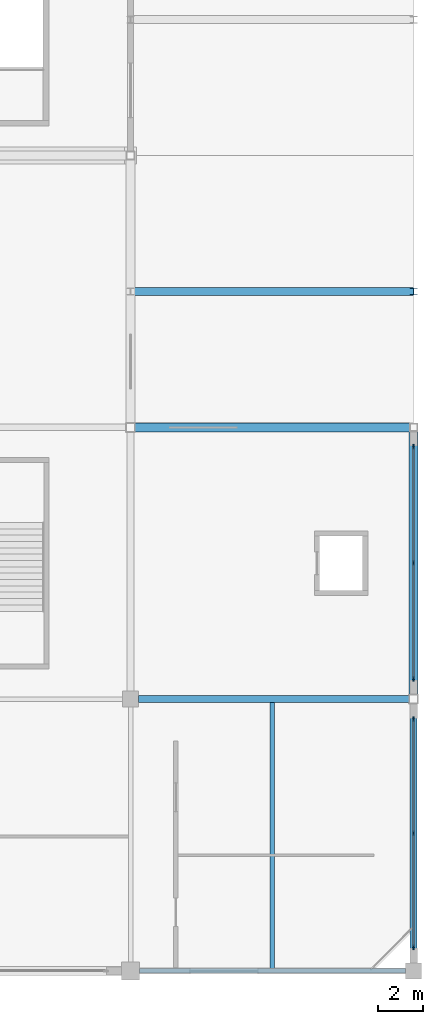
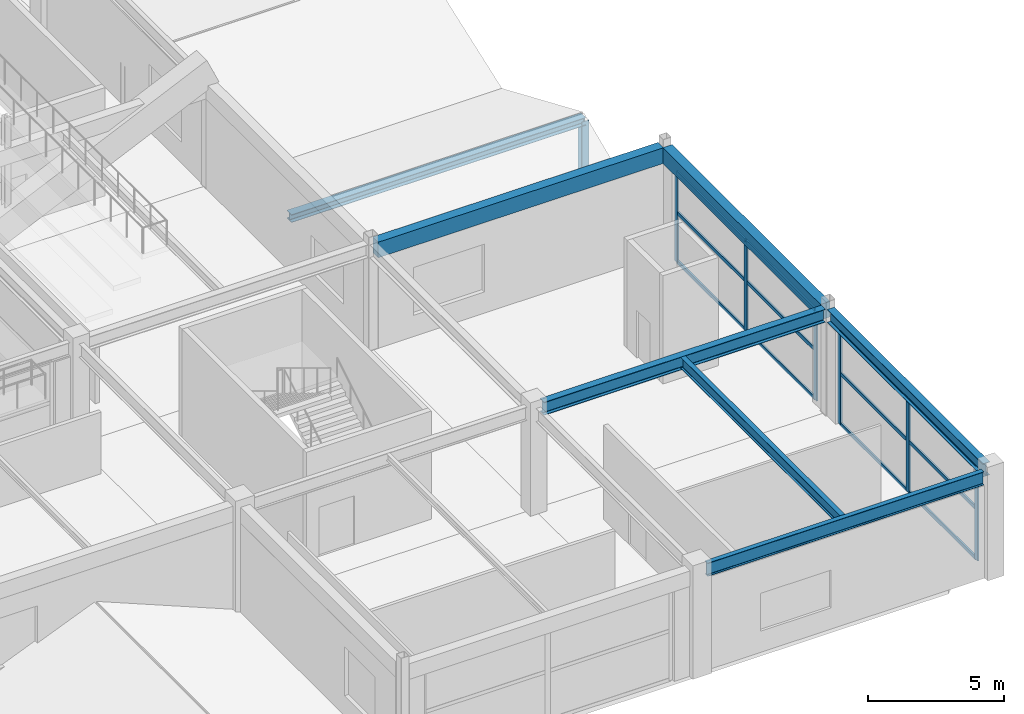
# One storey, part 52 of 128: 20 members, 6 beams, 2 elements without a shape of their own.
"""IFC4 building model written with IfcOpenShell, lengths in metres."""

from ifc_helpers import new_model, si_unit, direction, frame, origin, origin_2d, place, context, subcontext, project, spatial, rectangle, i_section, extrude, material, layer, layer_set, material_profile, profile_set, type_object, element, aggregate, save


model = new_model("IFC4")

# Units and contexts
model_context = context("Model", 3, precision=1e-05, world=origin(), true_north=direction((0.0, 1.0)))
body_context = subcontext(model_context, "Body", "Model", "MODEL_VIEW")
ifc_project = project(units=[si_unit("LENGTHUNIT", "METRE"), si_unit("AREAUNIT", "SQUARE_METRE"), si_unit("VOLUMEUNIT", "CUBIC_METRE"), si_unit("PLANEANGLEUNIT", "RADIAN"), si_unit("MASSUNIT", "GRAM", prefix="KILO")], contexts=[model_context])

# Site, building, storey
site_placement = place(None, origin())
site = spatial("IfcSite", under=ifc_project, at=site_placement, CompositionType="ELEMENT")
building_placement = place(site_placement, origin())
building = spatial("IfcBuilding", under=site, at=building_placement, Name="Kazenohara Klinker Stadium", CompositionType="ELEMENT")
storey_placement = place(building_placement, frame((0.0, 0.0, 15.300048828125)))
storey = spatial("IfcBuildingStorey", under=building, at=storey_placement, Name="L03", CompositionType="ELEMENT", Elevation=15.300048828125)

# Beams
ifc_material_1 = material(Name="Steel S355", Category="steel")
ifc_material_profile_1 = material_profile(ifc_material_1, i_section(OverallWidth=0.199951171875, OverallDepth=0.5, WebThickness=0.010009765625, FlangeThickness=0.01611328125, FilletRadius=0.012939453125, at=origin_2d()), Name="H-500x200x10x16")
ifc_profile_set_1 = profile_set([ifc_material_profile_1], Name="Steel S355")
beam_type_1 = type_object("IfcBeamType", Name="BM-JST01", PredefinedType="JOIST", material=ifc_profile_set_1)
beam_1_placement = place(storey_placement, frame((193.75, 12.10009765625, 4.510009765625), z_axis=(0.0, 1.0, 0.0), x_axis=(-1.0, 0.0, 0.0)))
element("IfcBeam", 1, at=beam_1_placement, inside=storey, type_object=beam_type_1, Name="Secondary floor joist SJ01 L03 16/B", PredefinedType="JOIST", context=body_context, shape_type="SweptSolid", body=[
    extrude(i_section(OverallWidth=0.199951171875, OverallDepth=0.5, WebThickness=0.010009765625, FlangeThickness=0.01611328125, FilletRadius=0.012939453125, at=origin_2d()), origin(), (0.0, 0.0, 1.0), 11.75),
])
ifc_material_2 = material(Name="Concrete C40/50", Category="concrete")
ifc_material_profile_2 = material_profile(ifc_material_2, rectangle(XDim=0.39990234375, YDim=0.699951171875, at=origin_2d()), Name="RC-BM-400x700")
ifc_profile_set_2 = profile_set([ifc_material_profile_2], Name="Concrete C40/50")
beam_type_2 = type_object("IfcBeamType", Name="BM-RC04", PredefinedType="BEAM", material=ifc_profile_set_2)
beam_2_placement = place(storey_placement, frame((187.699951171875, 36.0, 4.409912109375), z_axis=(1.0, 0.0, 0.0), x_axis=(0.0, 1.0, 0.0)))
element("IfcBeam", 2, at=beam_2_placement, inside=storey, type_object=beam_type_2, Name="Primary girder BG04 L03 16-17/D", PredefinedType="BEAM", context=body_context, shape_type="SweptSolid", body=[
    extrude(rectangle(XDim=0.39990234375, YDim=0.699951171875, at=origin_2d()), origin(), (0.0, 0.0, 1.0), 12.125),
])
beam_3_placement = place(storey_placement, frame((200.0, 24.199951171875, 4.409912109375), z_axis=(0.0, 1.0, 0.0), x_axis=(-1.0, 0.0, 0.0)))
element("IfcBeam", 3, at=beam_3_placement, inside=storey, type_object=beam_type_2, Name="Primary girder BG04 L03 17/C-D", PredefinedType="BEAM", context=body_context, shape_type="SweptSolid", body=[
    extrude(rectangle(XDim=0.39990234375, YDim=0.699951171875, at=origin_2d()), origin(), (0.0, 0.0, 1.0), 11.625),
])
ifc_material_profile_3 = material_profile(ifc_material_1, i_section(OverallWidth=0.199951171875, OverallDepth=0.60009765625, WebThickness=0.010986328125, FlangeThickness=0.01708984375, FilletRadius=0.012939453125, at=origin_2d()), Name="H-600x200x11x17")
ifc_profile_set_3 = profile_set([ifc_material_profile_3], Name="Steel S355")
beam_type_3 = type_object("IfcBeamType", Name="BM-ST04", PredefinedType="BEAM", material=ifc_profile_set_3)
beam_4_placement = place(storey_placement, frame((187.89990234375, 12.0, 4.4599609375), z_axis=(1.0, 0.0, 0.0), x_axis=(0.0, 1.0, 0.0)))
element("IfcBeam", 4, at=beam_4_placement, inside=storey, type_object=beam_type_3, Name="Primary girder SB04 L03 16-17/B", PredefinedType="BEAM", context=body_context, shape_type="SweptSolid", body=[
    extrude(i_section(OverallWidth=0.199951171875, OverallDepth=0.60009765625, WebThickness=0.010986328125, FlangeThickness=0.01708984375, FilletRadius=0.012939453125, at=origin_2d()), origin(), (0.0, 0.0, 1.0), 11.75),
])
ifc_material_profile_4 = material_profile(ifc_material_1, i_section(OverallWidth=0.300048828125, OverallDepth=0.587890625, WebThickness=0.011962890625, FlangeThickness=0.02001953125, FilletRadius=0.02197265625, at=origin_2d()), Name="H-588x300x12x20")
ifc_profile_set_4 = profile_set([ifc_material_profile_4], Name="Steel S355")
beam_type_4 = type_object("IfcBeamType", Name="BM-ST05", PredefinedType="BEAM", material=ifc_profile_set_4)
beam_5_placement = place(storey_placement, frame((187.85009765625, 24.0, 4.466064453125), z_axis=(1.0, 0.0, 0.0), x_axis=(0.0, 1.0, 0.0)))
element("IfcBeam", 5, at=beam_5_placement, inside=storey, type_object=beam_type_4, Name="Primary girder SB05 L03 16-17/C", PredefinedType="BEAM", context=body_context, shape_type="SweptSolid", body=[
    extrude(i_section(OverallWidth=0.300048828125, OverallDepth=0.587890625, WebThickness=0.011962890625, FlangeThickness=0.02001953125, FilletRadius=0.02197265625, at=origin_2d()), origin(), (0.0, 0.0, 1.0), 11.949951171875),
])
beam_6_placement = place(storey_placement, frame((200.0, 12.35009765625, 4.466064453125), z_axis=(0.0, 1.0, 0.0), x_axis=(-1.0, 0.0, 0.0)))
element("IfcBeam", 6, at=beam_6_placement, inside=storey, type_object=beam_type_4, Name="Primary girder SB05 L03 17/B-C", PredefinedType="BEAM", context=body_context, shape_type="SweptSolid", body=[
    extrude(i_section(OverallWidth=0.300048828125, OverallDepth=0.587890625, WebThickness=0.011962890625, FlangeThickness=0.02001953125, FilletRadius=0.02197265625, at=origin_2d()), origin(), (0.0, 0.0, 1.0), 11.449951171875),
])

# Curtain wall, members
ifc_material_3 = material(Name="Anodised aluminium and triple glazing", Category="aluminium")
ifc_layer_1 = layer(ifc_material_3, 0.169921875)
ifc_layer_set_1 = layer_set([ifc_layer_1], Name="Anodised aluminium and triple glazing")
curtain_wall_type_1 = type_object("IfcCurtainWallType", Name="CW-SYS-04", PredefinedType="USERDEFINED", material=ifc_layer_set_1)
curtain_wall_1_placement = place(storey_placement, origin())
curtain_wall_1 = element("IfcCurtainWall", 7, at=curtain_wall_1_placement, inside=storey, type_object=curtain_wall_type_1, Name="Unitised facade curtain wall CW04 L03 Y16-1", ObjectType="UNITISED CURTAIN WALL", PredefinedType="USERDEFINED")
ifc_material_4 = material(Name="Anodised aluminium 6063-T6", Category="aluminium")
ifc_material_profile_5 = material_profile(ifc_material_4, rectangle(XDim=0.074951171875, YDim=0.219970703125, at=origin_2d()), Name="ALU-MUL-75x220")
ifc_profile_set_5 = profile_set([ifc_material_profile_5], Name="Anodised aluminium 6063-T6")
member_type_1 = type_object("IfcMemberType", Name="CW-MUL-220", PredefinedType="MULLION", material=ifc_profile_set_5)
member_1_placement = place(storey_placement, frame((200.0, 13.04150390625, 0.0), z_axis=(0.0, 0.0, 1.0), x_axis=(-1.0, 0.0, 0.0)))
member_1 = element("IfcMember", 8, at=member_1_placement, type_object=member_type_1, Name="CW04 mullion 1", PredefinedType="MULLION", context=body_context, shape_type="SweptSolid", body=[
    extrude(rectangle(XDim=0.074951171875, YDim=0.219970703125, at=origin_2d()), origin(), (0.0, 0.0, 1.0), 4.171875),
])
member_2_placement = place(storey_placement, frame((200.0, 18.074951171875, 0.0), z_axis=(0.0, 0.0, 1.0), x_axis=(-1.0, 0.0, 0.0)))
member_2 = element("IfcMember", 9, at=member_2_placement, type_object=member_type_1, Name="CW04 mullion 2", PredefinedType="MULLION", context=body_context, shape_type="SweptSolid", body=[
    extrude(rectangle(XDim=0.074951171875, YDim=0.219970703125, at=origin_2d()), origin(), (0.0, 0.0, 1.0), 4.171875),
])
member_3_placement = place(storey_placement, frame((200.0, 23.1083984375, 0.0), z_axis=(0.0, 0.0, 1.0), x_axis=(-1.0, 0.0, 0.0)))
member_3 = element("IfcMember", 10, at=member_3_placement, type_object=member_type_1, Name="CW04 mullion 3", PredefinedType="MULLION", context=body_context, shape_type="SweptSolid", body=[
    extrude(rectangle(XDim=0.074951171875, YDim=0.219970703125, at=origin_2d()), origin(), (0.0, 0.0, 1.0), 4.171875),
])

ifc_layer_2 = layer(ifc_material_3, 0.18994140625)
ifc_layer_set_2 = layer_set([ifc_layer_2], Name="Anodised aluminium and triple glazing")
curtain_wall_type_2 = type_object("IfcCurtainWallType", Name="CW-SYS-05", PredefinedType="USERDEFINED", material=ifc_layer_set_2)
curtain_wall_2_placement = place(storey_placement, origin())
curtain_wall_2 = element("IfcCurtainWall", 11, at=curtain_wall_2_placement, inside=storey, type_object=curtain_wall_type_2, Name="Unitised facade curtain wall CW05 L03 Y16-2", ObjectType="UNITISED CURTAIN WALL", PredefinedType="USERDEFINED")
member_4_placement = place(storey_placement, frame((200.0, 24.8916015625, 0.0), z_axis=(0.0, 0.0, 1.0), x_axis=(-1.0, 0.0, 0.0)))
member_4 = element("IfcMember", 12, at=member_4_placement, type_object=member_type_1, Name="CW05 mullion 1", PredefinedType="MULLION", context=body_context, shape_type="SweptSolid", body=[
    extrude(rectangle(XDim=0.074951171875, YDim=0.219970703125, at=origin_2d()), origin(), (0.0, 0.0, 1.0), 4.06005859375),
])
member_5_placement = place(storey_placement, frame((200.0, 30.012451171875, 0.0), z_axis=(0.0, 0.0, 1.0), x_axis=(-1.0, 0.0, 0.0)))
member_5 = element("IfcMember", 13, at=member_5_placement, type_object=member_type_1, Name="CW05 mullion 2", PredefinedType="MULLION", context=body_context, shape_type="SweptSolid", body=[
    extrude(rectangle(XDim=0.074951171875, YDim=0.219970703125, at=origin_2d()), origin(), (0.0, 0.0, 1.0), 4.06005859375),
])
member_6_placement = place(storey_placement, frame((200.0, 35.133544921875, 0.0), z_axis=(0.0, 0.0, 1.0), x_axis=(-1.0, 0.0, 0.0)))
member_6 = element("IfcMember", 14, at=member_6_placement, type_object=member_type_1, Name="CW05 mullion 3", PredefinedType="MULLION", context=body_context, shape_type="SweptSolid", body=[
    extrude(rectangle(XDim=0.074951171875, YDim=0.219970703125, at=origin_2d()), origin(), (0.0, 0.0, 1.0), 4.06005859375),
])

# Member
ifc_material_profile_6 = material_profile(ifc_material_4, rectangle(XDim=0.074951171875, YDim=0.159912109375, at=origin_2d()), Name="ALU-TRN-75x160")
ifc_profile_set_6 = profile_set([ifc_material_profile_6], Name="Anodised aluminium 6063-T6")
member_type_2 = type_object("IfcMemberType", Name="CW-TRN-160", PredefinedType="USERDEFINED", material=ifc_profile_set_6)
member_7_placement = place(storey_placement, frame((200.0, 13.0791015625, 0.037353515625), z_axis=(0.0, 1.0, 0.0), x_axis=(-1.0, 0.0, 0.0)))
member_7 = element("IfcMember", 15, at=member_7_placement, type_object=member_type_2, Name="CW04 transom 1.1", ObjectType="TRANSOM", PredefinedType="USERDEFINED", context=body_context, shape_type="SweptSolid", body=[
    extrude(rectangle(XDim=0.074951171875, YDim=0.159912109375, at=origin_2d()), origin(), (0.0, 0.0, 1.0), 4.95849609375),
])

member_8_placement = place(storey_placement, frame((200.0, 13.0791015625, 2.29443359375), z_axis=(0.0, 1.0, 0.0), x_axis=(-1.0, 0.0, 0.0)))
member_8 = element("IfcMember", 16, at=member_8_placement, type_object=member_type_2, Name="CW04 transom 1.2", ObjectType="TRANSOM", PredefinedType="USERDEFINED", context=body_context, shape_type="SweptSolid", body=[
    extrude(rectangle(XDim=0.074951171875, YDim=0.159912109375, at=origin_2d()), origin(), (0.0, 0.0, 1.0), 4.95849609375),
])

member_9_placement = place(storey_placement, frame((200.0, 13.0791015625, 4.134521484375), z_axis=(0.0, 1.0, 0.0), x_axis=(-1.0, 0.0, 0.0)))
member_9 = element("IfcMember", 17, at=member_9_placement, type_object=member_type_2, Name="CW04 transom 1.3", ObjectType="TRANSOM", PredefinedType="USERDEFINED", context=body_context, shape_type="SweptSolid", body=[
    extrude(rectangle(XDim=0.074951171875, YDim=0.159912109375, at=origin_2d()), origin(), (0.0, 0.0, 1.0), 4.95849609375),
])

member_10_placement = place(storey_placement, frame((200.0, 18.112548828125, 0.037353515625), z_axis=(0.0, 1.0, 0.0), x_axis=(-1.0, 0.0, 0.0)))
member_10 = element("IfcMember", 18, at=member_10_placement, type_object=member_type_2, Name="CW04 transom 2.1", ObjectType="TRANSOM", PredefinedType="USERDEFINED", context=body_context, shape_type="SweptSolid", body=[
    extrude(rectangle(XDim=0.074951171875, YDim=0.159912109375, at=origin_2d()), origin(), (0.0, 0.0, 1.0), 4.95849609375),
])

member_11_placement = place(storey_placement, frame((200.0, 18.112548828125, 2.29443359375), z_axis=(0.0, 1.0, 0.0), x_axis=(-1.0, 0.0, 0.0)))
member_11 = element("IfcMember", 19, at=member_11_placement, type_object=member_type_2, Name="CW04 transom 2.2", ObjectType="TRANSOM", PredefinedType="USERDEFINED", context=body_context, shape_type="SweptSolid", body=[
    extrude(rectangle(XDim=0.074951171875, YDim=0.159912109375, at=origin_2d()), origin(), (0.0, 0.0, 1.0), 4.95849609375),
])

member_12_placement = place(storey_placement, frame((200.0, 18.112548828125, 4.134521484375), z_axis=(0.0, 1.0, 0.0), x_axis=(-1.0, 0.0, 0.0)))
member_12 = element("IfcMember", 20, at=member_12_placement, type_object=member_type_2, Name="CW04 transom 2.3", ObjectType="TRANSOM", PredefinedType="USERDEFINED", context=body_context, shape_type="SweptSolid", body=[
    extrude(rectangle(XDim=0.074951171875, YDim=0.159912109375, at=origin_2d()), origin(), (0.0, 0.0, 1.0), 4.95849609375),
])

aggregate(curtain_wall_1, [member_1, member_2, member_3, member_7, member_8, member_9, member_10, member_11, member_12])

member_13_placement = place(storey_placement, frame((200.0, 24.928955078125, 0.037353515625), z_axis=(0.0, 1.0, 0.0), x_axis=(-1.0, 0.0, 0.0)))
member_13 = element("IfcMember", 21, at=member_13_placement, type_object=member_type_2, Name="CW05 transom 1.1", ObjectType="TRANSOM", PredefinedType="USERDEFINED", context=body_context, shape_type="SweptSolid", body=[
    extrude(rectangle(XDim=0.074951171875, YDim=0.159912109375, at=origin_2d()), origin(), (0.0, 0.0, 1.0), 5.046142578125),
])

member_14_placement = place(storey_placement, frame((200.0, 24.928955078125, 2.23291015625), z_axis=(0.0, 1.0, 0.0), x_axis=(-1.0, 0.0, 0.0)))
member_14 = element("IfcMember", 22, at=member_14_placement, type_object=member_type_2, Name="CW05 transom 1.2", ObjectType="TRANSOM", PredefinedType="USERDEFINED", context=body_context, shape_type="SweptSolid", body=[
    extrude(rectangle(XDim=0.074951171875, YDim=0.159912109375, at=origin_2d()), origin(), (0.0, 0.0, 1.0), 5.046142578125),
])

member_15_placement = place(storey_placement, frame((200.0, 24.928955078125, 4.0224609375), z_axis=(0.0, 1.0, 0.0), x_axis=(-1.0, 0.0, 0.0)))
member_15 = element("IfcMember", 23, at=member_15_placement, type_object=member_type_2, Name="CW05 transom 1.3", ObjectType="TRANSOM", PredefinedType="USERDEFINED", context=body_context, shape_type="SweptSolid", body=[
    extrude(rectangle(XDim=0.074951171875, YDim=0.159912109375, at=origin_2d()), origin(), (0.0, 0.0, 1.0), 5.046142578125),
])

member_16_placement = place(storey_placement, frame((200.0, 30.050048828125, 0.037353515625), z_axis=(0.0, 1.0, 0.0), x_axis=(-1.0, 0.0, 0.0)))
member_16 = element("IfcMember", 24, at=member_16_placement, type_object=member_type_2, Name="CW05 transom 2.1", ObjectType="TRANSOM", PredefinedType="USERDEFINED", context=body_context, shape_type="SweptSolid", body=[
    extrude(rectangle(XDim=0.074951171875, YDim=0.159912109375, at=origin_2d()), origin(), (0.0, 0.0, 1.0), 5.0458984375),
])

member_17_placement = place(storey_placement, frame((200.0, 30.050048828125, 2.23291015625), z_axis=(0.0, 1.0, 0.0), x_axis=(-1.0, 0.0, 0.0)))
member_17 = element("IfcMember", 25, at=member_17_placement, type_object=member_type_2, Name="CW05 transom 2.2", ObjectType="TRANSOM", PredefinedType="USERDEFINED", context=body_context, shape_type="SweptSolid", body=[
    extrude(rectangle(XDim=0.074951171875, YDim=0.159912109375, at=origin_2d()), origin(), (0.0, 0.0, 1.0), 5.0458984375),
])

member_18_placement = place(storey_placement, frame((200.0, 30.050048828125, 4.0224609375), z_axis=(0.0, 1.0, 0.0), x_axis=(-1.0, 0.0, 0.0)))
member_18 = element("IfcMember", 26, at=member_18_placement, type_object=member_type_2, Name="CW05 transom 2.3", ObjectType="TRANSOM", PredefinedType="USERDEFINED", context=body_context, shape_type="SweptSolid", body=[
    extrude(rectangle(XDim=0.074951171875, YDim=0.159912109375, at=origin_2d()), origin(), (0.0, 0.0, 1.0), 5.0458984375),
])

aggregate(curtain_wall_2, [member_4, member_5, member_6, member_13, member_14, member_15, member_16, member_17, member_18])

# Members
ifc_material_profile_7 = material_profile(ifc_material_1, i_section(OverallWidth=0.35009765625, OverallDepth=0.35009765625, WebThickness=0.011962890625, FlangeThickness=0.01904296875, FilletRadius=0.012939453125, at=origin_2d()), Name="H-350x350x12x19")
ifc_profile_set_7 = profile_set([ifc_material_profile_7], Name="Steel S355")
member_type_3 = type_object("IfcMemberType", Name="MEM-CHD02", PredefinedType="CHORD", material=ifc_profile_set_7)
member_19_placement = place(storey_placement, frame((187.5, 42.0, 2.22998046875), z_axis=(1.0, 0.0, 0.0), x_axis=(0.0, 1.0, 0.0)))
element("IfcMember", 27, at=member_19_placement, inside=storey, type_object=member_type_3, Name="Stepped pavilion gable ridge beam L03 16/D", PredefinedType="CHORD", context=body_context, shape_type="SweptSolid", body=[
    extrude(i_section(OverallWidth=0.35009765625, OverallDepth=0.35009765625, WebThickness=0.011962890625, FlangeThickness=0.01904296875, FilletRadius=0.012939453125, at=origin_2d()), origin(), (0.0, 0.0, 1.0), 12.5),
])
ifc_material_profile_8 = material_profile(ifc_material_1, i_section(OverallWidth=0.300048828125, OverallDepth=0.300048828125, WebThickness=0.010009765625, FlangeThickness=0.014892578125, FilletRadius=0.012939453125, at=origin_2d()), Name="H-300x300x10x15")
ifc_profile_set_8 = profile_set([ifc_material_profile_8], Name="Steel S355")
member_type_4 = type_object("IfcMemberType", Name="MEM-STR01", PredefinedType="STRUT", material=ifc_profile_set_8)
member_20_placement = place(storey_placement, frame((200.0, 42.0, -0.429931640625), z_axis=(0.0, 0.0, 1.0), x_axis=(1.0, 0.0, 0.0)))
element("IfcMember", 28, at=member_20_placement, inside=storey, type_object=member_type_4, Name="Stepped pavilion gable king-post L03 16/D E", PredefinedType="STRUT", context=body_context, shape_type="SweptSolid", body=[
    extrude(i_section(OverallWidth=0.300048828125, OverallDepth=0.300048828125, WebThickness=0.010009765625, FlangeThickness=0.014892578125, FilletRadius=0.012939453125, at=origin_2d()), origin(), (0.0, 0.0, 1.0), 2.659912109375),
])

save(model, "model.ifc")
